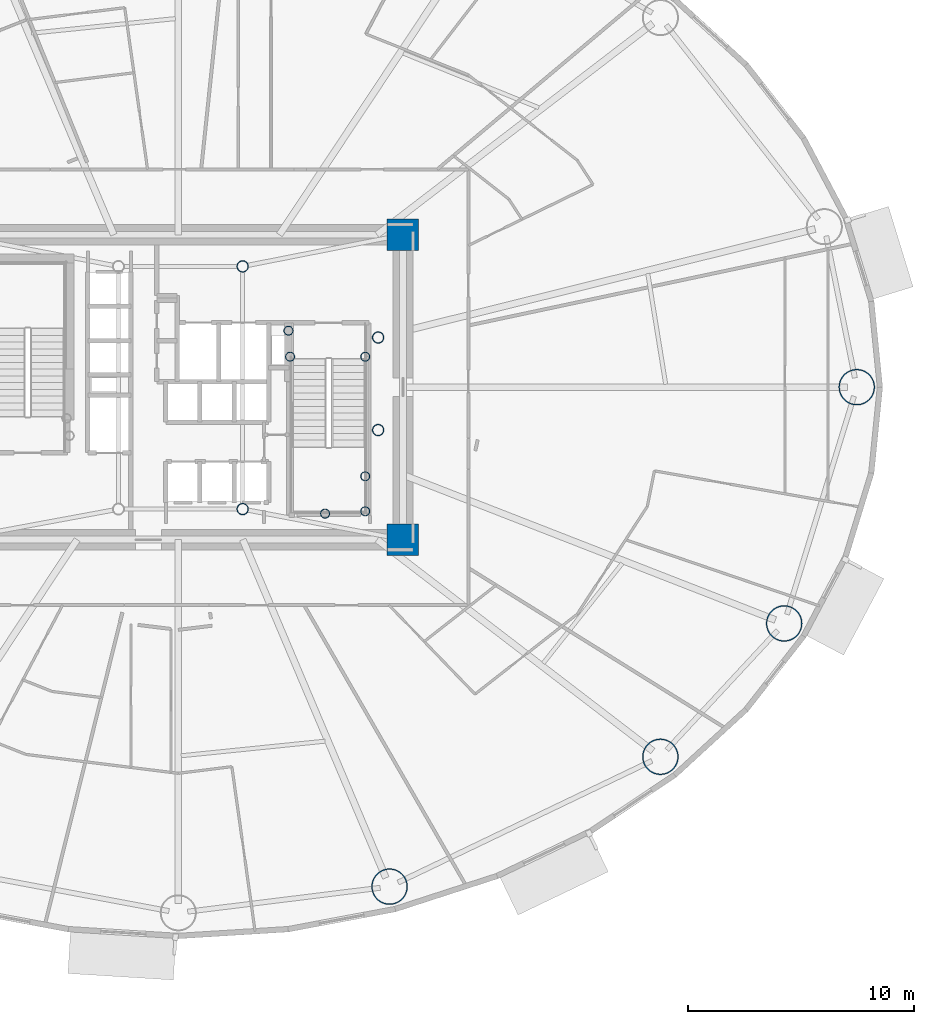
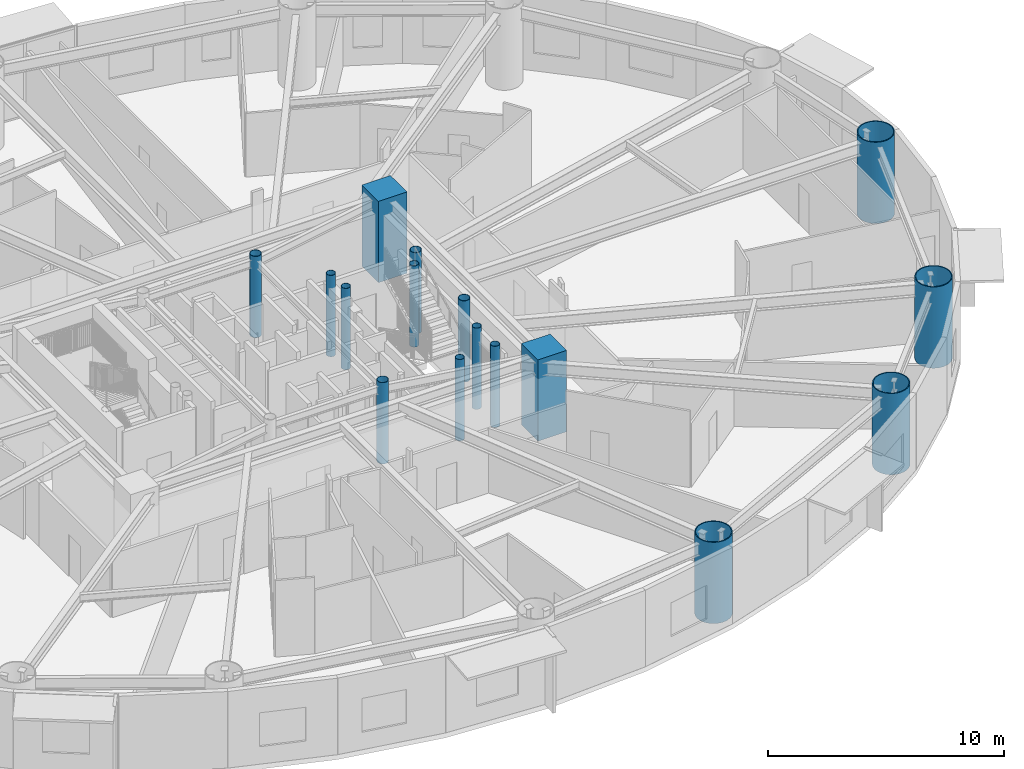
# One storey, part 2 of 21: 16 columns.
"""IFC4 building model written with IfcOpenShell, lengths in metres."""

import ifcopenshell
import ifcopenshell.guid

model = None  # the IFC model being written
_history = None  # IfcOwnerHistory: only IFC2X3 demands one
_inside = {}  # id of a spatial element -> (the spatial element, [elements in it])
_under = {}  # id of a project, library or spatial element -> (it, [spatial elements below it])
_declared = {}  # id of a project -> (the project, [libraries it declares])
_typed = {}  # id of a type object -> (the type object, [elements of that type])
_made_of = {}  # id of a material, layer set ... -> (it, [elements and type objects made of it])


def new_model(schema):
    """Start an empty IFC model of exactly this schema.

    Asked for "IFC4X3", IfcOpenShell would pick the latest addendum, in which some entities
    have other attributes; the version numbers below select the first issue.
    IFC2X3 requires an IfcOwnerHistory on every rooted entity: one is made here for all.
    """
    global model, _history
    if schema == "IFC4X3":
        model = ifcopenshell.file(schema_version=(4, 3, 0, 0))
    else:
        model = ifcopenshell.file(schema=schema)
    _inside.clear()
    _under.clear()
    _declared.clear()
    _typed.clear()
    _made_of.clear()
    _history = None
    if model.schema == "IFC2X3":
        org = make("IfcOrganization", Name="unknown")
        user = make(
            "IfcPersonAndOrganization",
            ThePerson=make("IfcPerson", FamilyName="unknown"),
            TheOrganization=org,
        )
        app = make(
            "IfcApplication",
            ApplicationDeveloper=org,
            Version="unknown",
            ApplicationFullName="unknown",
            ApplicationIdentifier="unknown",
        )
        _history = make(
            "IfcOwnerHistory",
            OwningUser=user,
            OwningApplication=app,
            ChangeAction="ADDED",
            CreationDate=0,
        )
    return model


def make(cls, **values):
    """One entity of the class cls with the attributes given. An attribute that is None is left unset."""
    return model.create_entity(
        cls, **{name: value for name, value in values.items() if value is not None}
    )


def rooted(cls, **values):
    """An entity with a GlobalId (a new one), such as an element, a storey or a relation."""
    return make(cls, GlobalId=ifcopenshell.guid.new(), OwnerHistory=_history, **values)


def si_unit(unit_type, name, prefix=None):
    """IfcSIUnit, for example si_unit("LENGTHUNIT", "METRE", prefix="MILLI")."""
    return make("IfcSIUnit", UnitType=unit_type, Prefix=prefix, Name=name)


def assignment(units):
    """IfcUnitAssignment: the units of a project."""
    return None if units is None else make("IfcUnitAssignment", Units=units)


def point(xyz):
    """IfcCartesianPoint."""
    return None if xyz is None else make("IfcCartesianPoint", Coordinates=xyz)


def direction(xyz):
    """IfcDirection."""
    return None if xyz is None else make("IfcDirection", DirectionRatios=xyz)


def frame(location, z_axis=None, x_axis=None):
    """IfcAxis2Placement3D, a coordinate frame: its origin and axes. An axis left out is left unset."""
    return make(
        "IfcAxis2Placement3D",
        Location=point(location),
        Axis=direction(z_axis),
        RefDirection=direction(x_axis),
    )


def frame_2d(location, x_axis=None):
    """IfcAxis2Placement2D, a coordinate frame in the plane: its origin and x axis."""
    return make(
        "IfcAxis2Placement2D", Location=point(location), RefDirection=direction(x_axis)
    )


def origin():
    """The frame at (0, 0, 0) with its axes left unset."""
    return frame((0.0, 0.0, 0.0))


def origin_2d():
    """The frame at (0, 0) in the plane with its x axis left unset."""
    return frame_2d((0.0, 0.0))


def place(relative_to, where):
    """IfcLocalPlacement: puts the frame where relative to a parent placement (None: the world)."""
    return make(
        "IfcLocalPlacement", PlacementRelTo=relative_to, RelativePlacement=where
    )


def context(
    kind, dimensions, precision=None, world=None, true_north=None, identifier=None
):
    """IfcGeometricRepresentationContext, for example the 3D "Model" context."""
    return make(
        "IfcGeometricRepresentationContext",
        ContextIdentifier=identifier,
        ContextType=kind,
        CoordinateSpaceDimension=dimensions,
        Precision=precision,
        WorldCoordinateSystem=world,
        TrueNorth=true_north,
    )


def subcontext(parent, identifier, kind, view, scale=None):
    """IfcGeometricRepresentationSubContext, for example "Body" below "Model"."""
    return make(
        "IfcGeometricRepresentationSubContext",
        ContextIdentifier=identifier,
        ContextType=kind,
        ParentContext=parent,
        TargetScale=scale,
        TargetView=view,
    )


def project(units=None, contexts=None):
    """IfcProject with its units and contexts."""
    return rooted(
        "IfcProject",
        Name="project",
        RepresentationContexts=contexts,
        UnitsInContext=assignment(units),
    )


def spatial(cls, under=None, at=None, **own):
    """A site, building, storey or space (cls), placed at a placement, below another one or the project."""
    s = rooted(cls, ObjectPlacement=at, **own)
    if under is not None:
        _under.setdefault(under.id(), (under, []))[1].append(s)
    return s


def profile(cls, at=None, kind="AREA", **sizes):
    """A parametric profile (cls). Its sizes go by their IFC names, for example OverallWidth=200.0."""
    return make(cls, ProfileType=kind, Position=at, **sizes)


def rectangle(**sizes):
    """IfcRectangleProfileDef."""
    return profile("IfcRectangleProfileDef", **sizes)


def hollow_circle(**sizes):
    """IfcCircleHollowProfileDef."""
    return profile("IfcCircleHollowProfileDef", **sizes)


def extrude(swept, where, along, depth):
    """IfcExtrudedAreaSolid: the profile swept, set in the frame where, extruded along a direction by depth."""
    return make(
        "IfcExtrudedAreaSolid",
        SweptArea=swept,
        Position=where,
        ExtrudedDirection=direction(along),
        Depth=depth,
    )


def shape(context_of_items, identifier, shape_type, items):
    """IfcShapeRepresentation: the items that make up one representation, for example the "Body"."""
    return make(
        "IfcShapeRepresentation",
        ContextOfItems=context_of_items,
        RepresentationIdentifier=identifier,
        RepresentationType=shape_type,
        Items=items,
    )


def material(Name=None, Category=None):
    """IfcMaterial."""
    return make("IfcMaterial", Name=Name, Category=Category)


def material_profile(
    of_material, cross_section, Name=None, Category=None, Priority=None
):
    """IfcMaterialProfile: a cross section and its material."""
    return make(
        "IfcMaterialProfile",
        Name=Name,
        Material=of_material,
        Profile=cross_section,
        Priority=Priority,
        Category=Category,
    )


def profile_set(profiles, Name=None, composite=None):
    """IfcMaterialProfileSet."""
    return make(
        "IfcMaterialProfileSet",
        Name=Name,
        MaterialProfiles=profiles,
        CompositeProfile=composite,
    )


def made_of(thing, what):
    """Note that an element or type object is made of a material, layer set ...; save() writes the relation."""
    if what is not None:
        _made_of.setdefault(what.id(), (what, []))[1].append(thing)
    return thing


def type_object(cls, material=None, **own):
    """A type object (cls), such as IfcWallType, which elements share."""
    return made_of(rooted(cls, **own), material)


def element(
    cls,
    number,
    at=None,
    inside=None,
    cuts=None,
    type_object=None,
    material=None,
    context=None,
    identifier="Body",
    shape_type=None,
    held_by="IfcProductDefinitionShape",
    body=None,
    shapes=None,
    **own,
):
    """One element of the class cls, such as IfcWall. Its Tag is "e" and its number.

    at: its placement. inside: the storey or other place that contains it. cuts: it is an
    opening in that element (IfcRelVoidsElement). A single representation is given by context,
    identifier, shape_type and body (its items); several are given by shapes. held_by: the class
    of the entity that holds the representations. save() writes the other relations.
    """
    e = rooted(cls, Tag="e%d" % number, ObjectPlacement=at, **own)
    if body is not None:
        shapes = [shape(context, identifier, shape_type, body)]
    if shapes is not None:
        e.Representation = make(held_by, Representations=shapes)
    if inside is not None:
        _inside.setdefault(inside.id(), (inside, []))[1].append(e)
    if cuts is not None:
        rooted(
            "IfcRelVoidsElement", RelatingBuildingElement=cuts, RelatedOpeningElement=e
        )
    if type_object is not None:
        _typed.setdefault(type_object.id(), (type_object, []))[1].append(e)
    return made_of(e, material)


def aggregate(whole, parts):
    """IfcRelAggregates: a whole, such as a stair, and the parts it consists of."""
    return rooted("IfcRelAggregates", RelatingObject=whole, RelatedObjects=parts)


def save(model, path):
    """Write the relations noted so far, then the file.

    IfcRelAggregates (storeys below a building ...), IfcRelContainedInSpatialStructure (elements
    in a storey), IfcRelDefinesByType, IfcRelAssociatesMaterial and IfcRelDeclares: one each for
    every whole, place, type object, material and project.
    """
    for whole, parts in _under.values():
        aggregate(whole, parts)
    for where, things in _inside.values():
        rooted(
            "IfcRelContainedInSpatialStructure",
            RelatedElements=things,
            RelatingStructure=where,
        )
    for kind, things in _typed.values():
        rooted("IfcRelDefinesByType", RelatedObjects=things, RelatingType=kind)
    for what, things in _made_of.values():
        rooted("IfcRelAssociatesMaterial", RelatedObjects=things, RelatingMaterial=what)
    for by, libraries in _declared.values():
        rooted("IfcRelDeclares", RelatingContext=by, RelatedDefinitions=libraries)
    model.write(path)


model = new_model("IFC4")

# Units and contexts
model_context = context("Model", 3, precision=1e-05, world=origin(), true_north=direction((0.0, 1.0)))
body_context = subcontext(model_context, "Body", "Model", "MODEL_VIEW")
ifc_project = project(units=[si_unit("LENGTHUNIT", "METRE"), si_unit("AREAUNIT", "SQUARE_METRE"), si_unit("VOLUMEUNIT", "CUBIC_METRE"), si_unit("PLANEANGLEUNIT", "RADIAN"), si_unit("MASSUNIT", "GRAM", prefix="KILO")], contexts=[model_context])

# Site, building, storey
site_placement = place(None, origin())
site = spatial("IfcSite", under=ifc_project, at=site_placement, CompositionType="ELEMENT")
building_placement = place(site_placement, origin())
building = spatial("IfcBuilding", under=site, at=building_placement, Name="Linh Dai School and Residence Tower", CompositionType="ELEMENT")
storey_placement = place(building_placement, frame((0.0, 0.0, 61.800048828125)))
storey = spatial("IfcBuildingStorey", under=building, at=storey_placement, Name="L14", CompositionType="ELEMENT", Elevation=61.800048828125)

# Columns
ifc_material_1 = material(Name="Concrete B60 (C50/60)", Category="concrete")
ifc_material_profile_1 = material_profile(ifc_material_1, rectangle(XDim=1.39990234375, YDim=1.39990234375, at=origin_2d()), Name="RC 1400x1400")
ifc_profile_set_1 = profile_set([ifc_material_profile_1], Name="Concrete B60 (C50/60)")
column_type_1 = type_object("IfcColumnType", Name="COL-CC1", PredefinedType="COLUMN", material=ifc_profile_set_1)
for number, where, z_axis, x_axis, name in (
    (1, (45.949951171875, 20.25, 0.0), (0.0, 0.0, 1.0), (1.0, 0.0, 0.0), "L14 Core Corner Pier CC2"),
    (2, (45.949951171875, 33.75, 0.0), (0.0, 0.0, 1.0), (1.0, 0.0, 0.0), "L14 Core Corner Pier CC3"),
):
    element("IfcColumn", number, at=place(storey_placement, frame(where, z_axis=z_axis, x_axis=x_axis)), inside=storey, type_object=column_type_1, Name=name, PredefinedType="COLUMN", context=body_context, shape_type="SweptSolid", body=[
        extrude(rectangle(XDim=1.39990234375, YDim=1.39990234375, at=origin_2d()), origin(), (0.0, 0.0, 1.0), 4.199951171875),
    ])
ifc_material_2 = material(Name="Structural Steel S355JR", Category="steel")
ifc_material_profile_2 = material_profile(ifc_material_2, hollow_circle(Radius=0.203125, WallThickness=0.01611328125, at=origin_2d()), Name="CHS 406.4x16")
ifc_profile_set_2 = profile_set([ifc_material_profile_2], Name="Structural Steel S355JR")
column_type_2 = type_object("IfcColumnType", Name="COL-EC", PredefinedType="COLUMN", material=ifc_profile_set_2)
for number, where, z_axis, x_axis, name in (
    (3, (44.280029296875, 21.5, 0.0), (0.0, 0.0, 1.0), (1.0, 0.0, 0.0), "L14 Stair Shaft Landing Support Pier ST2SE"),
    (4, (44.280029296875, 23.050048828125, 0.0), (0.0, 0.0, 1.0), (1.0, 0.0, 0.0), "L14 Stair Shaft Landing Support Pier ST2NE"),
    (5, (42.5, 21.39990234375, 0.0), (0.0, 0.0, 1.0), (1.0, 0.0, 0.0), "L14 Stair Shaft Landing Support Pier ST2MS"),
    (6, (40.949951171875, 28.35009765625, 0.0), (0.0, 0.0, 1.0), (1.0, 0.0, 0.0), "L14 Stair Shaft Landing Support Pier ST2N1"),
    (7, (44.280029296875, 28.35009765625, 0.0), (0.0, 0.0, 1.0), (1.0, 0.0, 0.0), "L14 Stair Shaft Landing Support Pier ST2N2"),
    (8, (40.8798828125, 29.5, 0.0), (0.0, 0.0, 1.0), (1.0, 0.0, 0.0), "L14 Stair Shaft Landing Support Pier ST2N3"),
):
    element("IfcColumn", number, at=place(storey_placement, frame(where, z_axis=z_axis, x_axis=x_axis)), inside=storey, type_object=column_type_2, Name=name, PredefinedType="COLUMN", context=body_context, shape_type="SweptSolid", body=[
        extrude(hollow_circle(Radius=0.203125, WallThickness=0.01611328125, at=origin_2d()), origin(), (0.0, 0.0, 1.0), 4.199951171875),
    ])
ifc_material_profile_3 = material_profile(ifc_material_2, hollow_circle(Radius=0.800048828125, WallThickness=0.044921875, at=origin_2d()), Name="CHS 1600x45")
ifc_profile_set_3 = profile_set([ifc_material_profile_3], Name="Structural Steel S355JR")
column_type_3 = type_object("IfcColumnType", Name="COL-MC2", PredefinedType="COLUMN", material=ifc_profile_set_3)
for number, where, z_axis, x_axis, name in (
    (9, (66.050048828125, 27.0, 0.0), (0.0, 0.0, 1.0), (1.0, 0.0, 0.0), "L14 Perimeter CFT Mega-Column MC01"),
    (10, (45.357666015625, 4.880126953125, 0.0), (0.0, 0.0, 1.0), (1.0, 0.0, 0.0), "L14 Perimeter CFT Mega-Column MC14"),
    (11, (57.352783203125, 10.630859375, 0.0), (0.0, 0.0, 1.0), (1.0, 0.0, 0.0), "L14 Perimeter CFT Mega-Column MC15"),
    (12, (62.83544921875, 16.5361328125, 0.0), (0.0, 0.0, 1.0), (1.0, 0.0, 0.0), "L14 Perimeter CFT Mega-Column MC16"),
):
    element("IfcColumn", number, at=place(storey_placement, frame(where, z_axis=z_axis, x_axis=x_axis)), inside=storey, type_object=column_type_3, Name=name, PredefinedType="COLUMN", context=body_context, shape_type="SweptSolid", body=[
        extrude(hollow_circle(Radius=0.800048828125, WallThickness=0.044921875, at=origin_2d()), origin(), (0.0, 0.0, 1.0), 4.199951171875),
    ])
ifc_material_profile_4 = material_profile(ifc_material_2, hollow_circle(Radius=0.25390625, WallThickness=0.02001953125, at=origin_2d()), Name="CHS 508x20")
ifc_profile_set_4 = profile_set([ifc_material_profile_4], Name="Structural Steel S355JR")
column_type_4 = type_object("IfcColumnType", Name="COL-MCP", PredefinedType="COLUMN", material=ifc_profile_set_4)
for number, where, z_axis, x_axis, name in (
    (13, (38.85009765625, 21.60009765625, 0.0), (0.0, 0.0, 1.0), (1.0, 0.0, 0.0), "L14 Core Mast Support Pier MCP2"),
    (14, (38.85009765625, 32.35009765625, 0.0), (0.0, 0.0, 1.0), (1.0, 0.0, 0.0), "L14 Core Mast Support Pier MCP3"),
    (15, (44.85009765625, 25.10009765625, 0.0), (0.0, 0.0, 1.0), (1.0, 0.0, 0.0), "L14 Sky-Lounge Core Anchor Pier S"),
    (16, (44.85009765625, 29.199951171875, 0.0), (0.0, 0.0, 1.0), (1.0, 0.0, 0.0), "L14 Sky-Lounge Core Anchor Pier N"),
):
    element("IfcColumn", number, at=place(storey_placement, frame(where, z_axis=z_axis, x_axis=x_axis)), inside=storey, type_object=column_type_4, Name=name, PredefinedType="COLUMN", context=body_context, shape_type="SweptSolid", body=[
        extrude(hollow_circle(Radius=0.25390625, WallThickness=0.02001953125, at=origin_2d()), origin(), (0.0, 0.0, 1.0), 4.199951171875),
    ])

save(model, "model.ifc")
